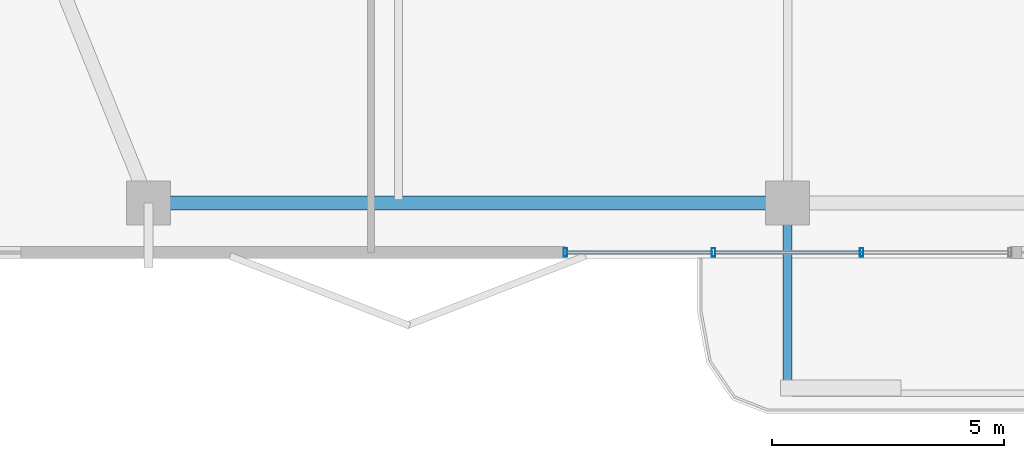
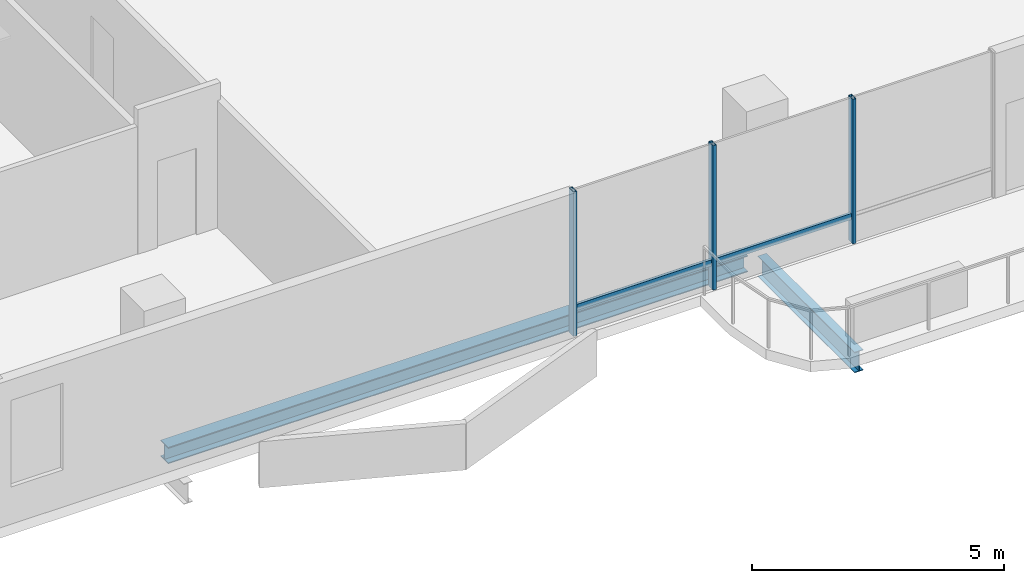
# One storey, part 2 of 24: 5 members, 2 beams, 1 element without a shape of its own.
"""IFC4 building model written with IfcOpenShell, lengths in metres."""

from ifc_helpers import new_model, si_unit, direction, frame, origin, origin_2d, place, context, subcontext, project, spatial, hollow_rectangle, i_section, extrude, material, layer, layer_set, material_profile, profile_set, type_object, element, aggregate, save


model = new_model("IFC4")

# Units and contexts
model_context = context("Model", 3, precision=1e-05, world=origin(), true_north=direction((0.0, 1.0)))
body_context = subcontext(model_context, "Body", "Model", "MODEL_VIEW")
ifc_project = project(units=[si_unit("LENGTHUNIT", "METRE"), si_unit("AREAUNIT", "SQUARE_METRE"), si_unit("VOLUMEUNIT", "CUBIC_METRE"), si_unit("PLANEANGLEUNIT", "RADIAN"), si_unit("MASSUNIT", "GRAM", prefix="KILO")], contexts=[model_context])

# Site, building, storey
site_placement = place(None, origin())
site = spatial("IfcSite", under=ifc_project, at=site_placement, CompositionType="ELEMENT")
building_placement = place(site_placement, origin())
building = spatial("IfcBuilding", under=site, at=building_placement, Name="Belovzor Exchange Tower", CompositionType="ELEMENT")
storey_placement = place(building_placement, frame((0.0, 0.0, 261.60009765625)))
storey = spatial("IfcBuildingStorey", under=building, at=storey_placement, Name="L65", CompositionType="ELEMENT", Elevation=261.60009765625)

# Beam
ifc_material_1 = material(Name="Steel S355", Category="steel")
ifc_material_profile_1 = material_profile(ifc_material_1, i_section(OverallWidth=0.199951171875, OverallDepth=0.5, WebThickness=0.01025390625, FlangeThickness=0.01611328125, at=origin_2d()))
ifc_profile_set_1 = profile_set([ifc_material_profile_1], Name="Steel S355")
beam_type_1 = type_object("IfcBeamType", Name="Planted Balcony Cantilever Beam IPE 500", PredefinedType="BEAM", material=ifc_profile_set_1)
beam_1_placement = place(storey_placement, frame((28.800048828125, 4.839111328125, -0.5), z_axis=(0.0, -1.0, 0.0), x_axis=(1.0, 0.0, 0.0)))
element("IfcBeam", 1, at=beam_1_placement, inside=storey, type_object=beam_type_1, Name="BC-500 Planted Balcony Cantilever Beam IPE 500", PredefinedType="BEAM", context=body_context, shape_type="SweptSolid", body=[
    extrude(i_section(OverallWidth=0.199951171875, OverallDepth=0.5, WebThickness=0.01025390625, FlangeThickness=0.01611328125, at=origin_2d()), origin(), (0.0, 0.0, 1.0), 3.85009765625),
])

# Curtain wall, members
ifc_material_2 = material(Name="Anodised Aluminium Framing", Category="aluminium")
ifc_layer = layer(ifc_material_2, 0.179931640625)
ifc_layer_set = layer_set([ifc_layer], Name="Anodised Aluminium Framing")
curtain_wall_type = type_object("IfcCurtainWallType", Name="Recessed Loggia Low-Iron Triple-Glazed Curtain Wall", PredefinedType="NOTDEFINED", material=ifc_layer_set)
curtain_wall_placement = place(storey_placement, origin())
curtain_wall = element("IfcCurtainWall", 2, at=curtain_wall_placement, inside=storey, type_object=curtain_wall_type, Name="CW3 Recessed Loggia Low-Iron Triple-Glazed Curtain Wall L65", PredefinedType="NOTDEFINED")
ifc_material_3 = material(Name="Steel S355", Category="steel")
ifc_material_profile_2 = material_profile(ifc_material_3, hollow_rectangle(XDim=0.074951171875, YDim=0.179931640625, WallThickness=0.0048828125, at=origin_2d()))
ifc_profile_set_2 = profile_set([ifc_material_profile_2], Name="Steel S355")
member_type_1 = type_object("IfcMemberType", Name="Thermally Broken Curtain Wall Mullion 180x75", PredefinedType="MULLION", material=ifc_profile_set_2)
member_1_placement = place(storey_placement, frame((30.39990234375, 4.030029296875, 0.0), z_axis=(0.0, 0.0, 1.0), x_axis=(-1.0, 0.0, 0.0)))
member_1 = element("IfcMember", 3, at=member_1_placement, type_object=member_type_1, Name="CW-M180 Curtain Wall Mullion 2", PredefinedType="MULLION", context=body_context, shape_type="SweptSolid", body=[
    extrude(hollow_rectangle(XDim=0.074951171875, YDim=0.179931640625, WallThickness=0.0048828125, at=origin_2d()), origin(), (0.0, 0.0, 1.0), 3.5),
])
member_2_placement = place(storey_placement, frame((27.199951171875, 4.030029296875, 0.0), z_axis=(0.0, 0.0, 1.0), x_axis=(-1.0, 0.0, 0.0)))
member_2 = element("IfcMember", 4, at=member_2_placement, type_object=member_type_1, Name="CW-M180 Curtain Wall Mullion 3", PredefinedType="MULLION", context=body_context, shape_type="SweptSolid", body=[
    extrude(hollow_rectangle(XDim=0.074951171875, YDim=0.179931640625, WallThickness=0.0048828125, at=origin_2d()), origin(), (0.0, 0.0, 1.0), 3.5),
])
member_3_placement = place(storey_placement, frame((24.0, 4.030029296875, 0.0), z_axis=(0.0, 0.0, 1.0), x_axis=(-1.0, 0.0, 0.0)))
member_3 = element("IfcMember", 5, at=member_3_placement, type_object=member_type_1, Name="CW-M180 Curtain Wall Mullion 4", PredefinedType="MULLION", context=body_context, shape_type="SweptSolid", body=[
    extrude(hollow_rectangle(XDim=0.074951171875, YDim=0.179931640625, WallThickness=0.0048828125, at=origin_2d()), origin(), (0.0, 0.0, 1.0), 3.5),
])
ifc_material_4 = material(Name="Steel S355", Category="steel")
ifc_material_profile_3 = material_profile(ifc_material_4, hollow_rectangle(XDim=0.06005859375, YDim=0.14990234375, WallThickness=0.00390625, at=origin_2d()))
ifc_profile_set_3 = profile_set([ifc_material_profile_3], Name="Steel S355")
member_type_2 = type_object("IfcMemberType", Name="Thermally Broken Curtain Wall Transom 150x60", PredefinedType="USERDEFINED", material=ifc_profile_set_3)
member_4_placement = place(storey_placement, frame((30.39208984375, 4.030029296875, 0.6298828125), z_axis=(-1.0, 0.0, 0.0), x_axis=(0.0, -1.0, 0.0)))
member_4 = element("IfcMember", 6, at=member_4_placement, type_object=member_type_2, Name="CW-T150 Curtain Wall Transom 2", ObjectType="TRANSOM", PredefinedType="USERDEFINED", context=body_context, shape_type="SweptSolid", body=[
    extrude(hollow_rectangle(XDim=0.06005859375, YDim=0.14990234375, WallThickness=0.00390625, at=origin_2d()), origin(), (0.0, 0.0, 1.0), 3.18408203125),
])
member_5_placement = place(storey_placement, frame((27.19189453125, 4.030029296875, 0.6298828125), z_axis=(-1.0, 0.0, 0.0), x_axis=(0.0, -1.0, 0.0)))
member_5 = element("IfcMember", 7, at=member_5_placement, type_object=member_type_2, Name="CW-T150 Curtain Wall Transom 3", ObjectType="TRANSOM", PredefinedType="USERDEFINED", context=body_context, shape_type="SweptSolid", body=[
    extrude(hollow_rectangle(XDim=0.06005859375, YDim=0.14990234375, WallThickness=0.00390625, at=origin_2d()), origin(), (0.0, 0.0, 1.0), 3.183837890625),
])
aggregate(curtain_wall, [member_1, member_2, member_3, member_4, member_5])

# Beam
ifc_material_5 = material(Name="Steel S355", Category="steel")
ifc_material_profile_4 = material_profile(ifc_material_5, i_section(OverallWidth=0.300048828125, OverallDepth=0.39990234375, WebThickness=0.013427734375, FlangeThickness=0.02392578125, at=origin_2d()))
ifc_profile_set_4 = profile_set([ifc_material_profile_4], Name="Steel S355")
beam_type_2 = type_object("IfcBeamType", Name="Zone 5 Primary Girder HEB 400", PredefinedType="BEAM", material=ifc_profile_set_4)
beam_2_placement = place(storey_placement, frame((15.260986328125, 5.10009765625, -0.4501953125), z_axis=(1.0, 0.0, 0.0), x_axis=(0.0, 1.0, 0.0)))
element("IfcBeam", 8, at=beam_2_placement, inside=storey, type_object=beam_type_2, Name="FG-Z5 Zone 5 Primary Girder HEB 400", PredefinedType="BEAM", context=body_context, shape_type="SweptSolid", body=[
    extrude(i_section(OverallWidth=0.300048828125, OverallDepth=0.39990234375, WebThickness=0.013427734375, FlangeThickness=0.02392578125, at=origin_2d()), origin(), (0.0, 0.0, 1.0), 13.278076171875),
])

save(model, "model.ifc")
